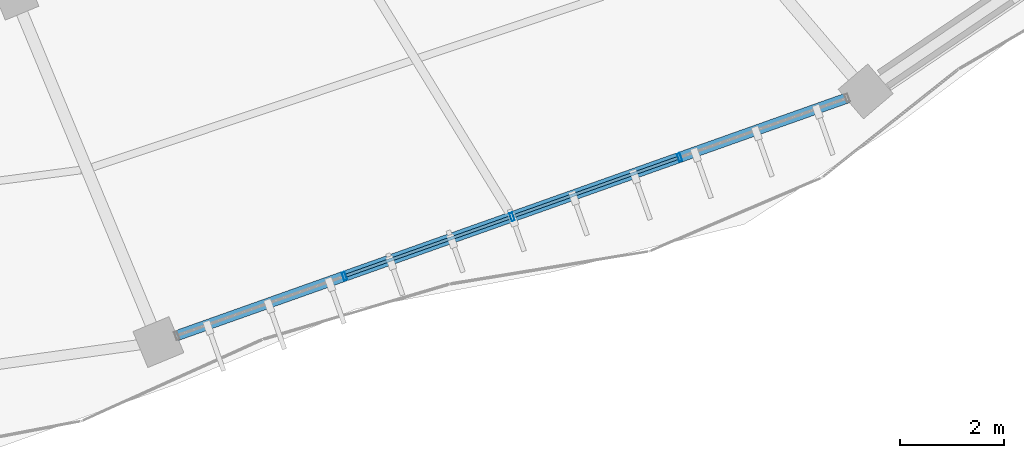
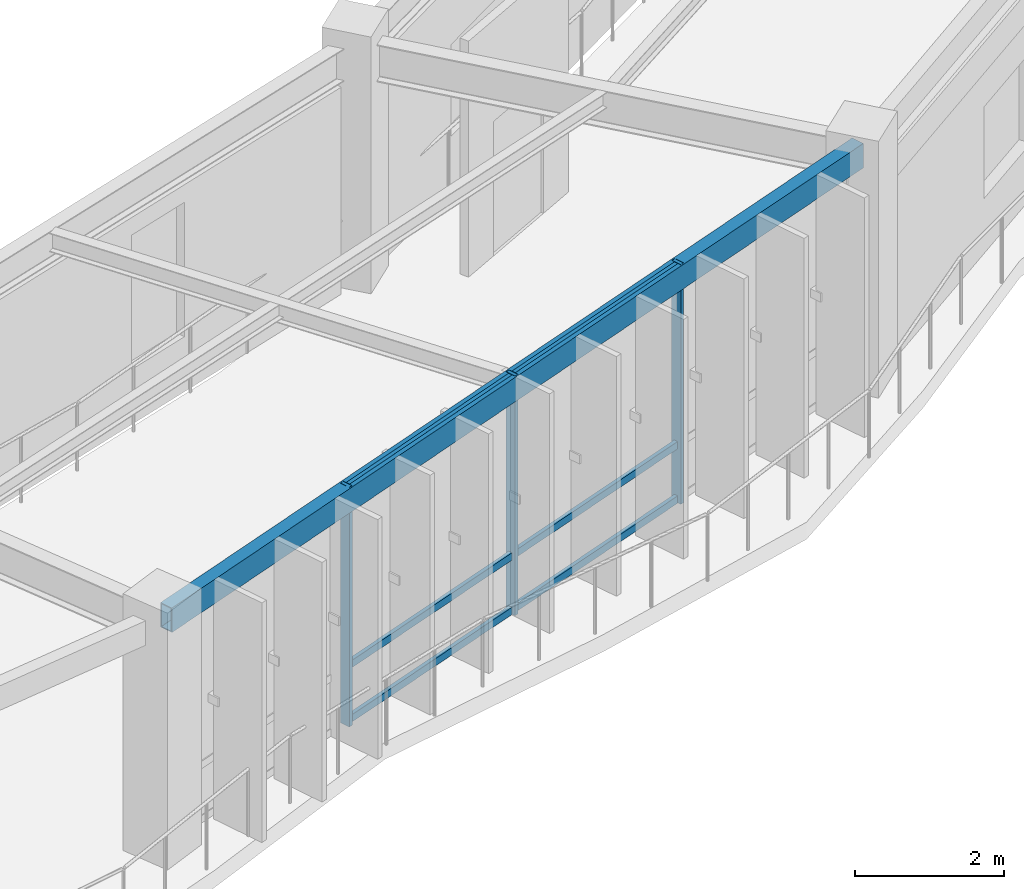
# One storey, part 64 of 152: 9 members, 1 beam, 1 element without a shape of its own.
"""IFC4 building model written with IfcOpenShell, lengths in metres."""

from ifc_helpers import new_model, si_unit, direction, frame, origin, origin_2d, place, context, subcontext, project, spatial, hollow_rectangle, extrude, material, material_profile, profile_set, type_object, element, aggregate, save


model = new_model("IFC4")

# Units and contexts
model_context = context("Model", 3, precision=1e-05, world=origin(), true_north=direction((0.0, 1.0)))
body_context = subcontext(model_context, "Body", "Model", "MODEL_VIEW")
ifc_project = project(units=[si_unit("LENGTHUNIT", "METRE"), si_unit("AREAUNIT", "SQUARE_METRE"), si_unit("VOLUMEUNIT", "CUBIC_METRE"), si_unit("PLANEANGLEUNIT", "RADIAN"), si_unit("MASSUNIT", "GRAM", prefix="KILO"), si_unit("THERMODYNAMICTEMPERATUREUNIT", "KELVIN"), si_unit("POWERUNIT", "WATT")], contexts=[model_context])

# Site, building, storey
site_placement = place(None, origin())
site = spatial("IfcSite", under=ifc_project, at=site_placement, CompositionType="ELEMENT")
building_placement = place(site_placement, origin())
building = spatial("IfcBuilding", under=site, at=building_placement, Name="Darbajah Civic Hall", CompositionType="ELEMENT")
storey_placement = place(building_placement, frame((0.0, 0.0, 5.39990234375)))
storey = spatial("IfcBuildingStorey", under=building, at=storey_placement, Name="L01", CompositionType="ELEMENT", Elevation=5.39990234375)

# Curtain wall, members
ifc_material_1 = material(Name="Anodised Bronze Aluminium and Low-E Glazing", Category="aluminium")
curtain_wall_type = type_object("IfcCurtainWallType", Name="Unitised Curtain Wall CW-33 13700x3900", PredefinedType="USERDEFINED", material=ifc_material_1)
curtain_wall_placement = place(storey_placement, origin())
curtain_wall = element("IfcCurtainWall", 1, at=curtain_wall_placement, inside=storey, type_object=curtain_wall_type, Name="L01 unitised curtain wall CW-V1O-L01-16", ObjectType="UNITISED CURTAIN WALL", PredefinedType="USERDEFINED")
ifc_material_2 = material(Name="Anodised Bronze Aluminium", Category="aluminium")
ifc_material_profile_1 = material_profile(ifc_material_2, hollow_rectangle(XDim=0.06005859375, YDim=0.159912109375, WallThickness=0.00341796875, at=origin_2d()), Name="ALU MULLION 60x160")
ifc_profile_set_1 = profile_set([ifc_material_profile_1], Name="Anodised Bronze Aluminium")
member_type_1 = type_object("IfcMemberType", Name="ALU MULLION 60x160", PredefinedType="MULLION", material=ifc_profile_set_1)
member_1_placement = place(storey_placement, frame((112.19580078125, 63.814208984375, 0.0), z_axis=(0.0, 0.0, 1.0), x_axis=(0.94252491309, 0.334135882844, 0.0)))
member_1 = element("IfcMember", 2, at=member_1_placement, type_object=member_type_1, Name="CW-V1O-L01-16 mullion 2", PredefinedType="MULLION", context=body_context, shape_type="SweptSolid", body=[
    extrude(hollow_rectangle(XDim=0.06005859375, YDim=0.159912109375, WallThickness=0.00341796875, at=origin_2d()), origin(), (0.0, 0.0, 1.0), 3.920166015625),
])
member_2_placement = place(storey_placement, frame((115.41943359375, 64.956787109375, 0.0), z_axis=(0.0, 0.0, 1.0), x_axis=(0.94252491309, 0.334135882844, 0.0)))
member_2 = element("IfcMember", 3, at=member_2_placement, type_object=member_type_1, Name="CW-V1O-L01-16 mullion 3", PredefinedType="MULLION", context=body_context, shape_type="SweptSolid", body=[
    extrude(hollow_rectangle(XDim=0.06005859375, YDim=0.159912109375, WallThickness=0.00341796875, at=origin_2d()), origin(), (0.0, 0.0, 1.0), 3.920166015625),
])
member_3_placement = place(storey_placement, frame((118.64306640625, 66.099365234375, 0.0), z_axis=(0.0, 0.0, 1.0), x_axis=(0.94252491309, 0.334135882844, 0.0)))
member_3 = element("IfcMember", 4, at=member_3_placement, type_object=member_type_1, Name="CW-V1O-L01-16 mullion 4", PredefinedType="MULLION", context=body_context, shape_type="SweptSolid", body=[
    extrude(hollow_rectangle(XDim=0.06005859375, YDim=0.159912109375, WallThickness=0.00341796875, at=origin_2d()), origin(), (0.0, 0.0, 1.0), 3.920166015625),
])
ifc_material_profile_2 = material_profile(ifc_material_2, hollow_rectangle(XDim=0.06005859375, YDim=0.1201171875, WallThickness=0.003173828125, at=origin_2d()), Name="ALU TRANSOM 60x120")
ifc_profile_set_2 = profile_set([ifc_material_profile_2], Name="Anodised Bronze Aluminium")
member_type_2 = type_object("IfcMemberType", Name="ALU TRANSOM 60x120", PredefinedType="USERDEFINED", material=ifc_profile_set_2)
member_4_placement = place(storey_placement, frame((112.228759765625, 63.825927734375, 0.06005859375), z_axis=(0.942553625563, 0.334054880128, 0.0), x_axis=(-0.334054880128, 0.942553625563, 0.0)))
member_4 = element("IfcMember", 5, at=member_4_placement, type_object=member_type_2, Name="CW-V1O-L01-16 transom 2.1", ObjectType="TRANSOM", PredefinedType="USERDEFINED", context=body_context, shape_type="SweptSolid", body=[
    extrude(hollow_rectangle(XDim=0.06005859375, YDim=0.1201171875, WallThickness=0.003173828125, at=origin_2d()), origin(), (0.0, 0.0, 1.0), 3.35009765625),
])
member_5_placement = place(storey_placement, frame((112.228759765625, 63.825927734375, 0.9501953125), z_axis=(0.942553625563, 0.334054880128, 0.0), x_axis=(-0.334054880128, 0.942553625563, 0.0)))
member_5 = element("IfcMember", 6, at=member_5_placement, type_object=member_type_2, Name="CW-V1O-L01-16 transom 2.2", ObjectType="TRANSOM", PredefinedType="USERDEFINED", context=body_context, shape_type="SweptSolid", body=[
    extrude(hollow_rectangle(XDim=0.06005859375, YDim=0.1201171875, WallThickness=0.003173828125, at=origin_2d()), origin(), (0.0, 0.0, 1.0), 3.35009765625),
])
member_6_placement = place(storey_placement, frame((112.228759765625, 63.825927734375, 3.860107421875), z_axis=(0.942553625563, 0.334054880128, 0.0), x_axis=(-0.334054880128, 0.942553625563, 0.0)))
member_6 = element("IfcMember", 7, at=member_6_placement, type_object=member_type_2, Name="CW-V1O-L01-16 transom 2.3", ObjectType="TRANSOM", PredefinedType="USERDEFINED", context=body_context, shape_type="SweptSolid", body=[
    extrude(hollow_rectangle(XDim=0.06005859375, YDim=0.1201171875, WallThickness=0.003173828125, at=origin_2d()), origin(), (0.0, 0.0, 1.0), 3.35009765625),
])
member_7_placement = place(storey_placement, frame((115.452392578125, 64.968505859375, 0.06005859375), z_axis=(0.942553625563, 0.334054880128, 0.0), x_axis=(-0.334054880128, 0.942553625563, 0.0)))
member_7 = element("IfcMember", 8, at=member_7_placement, type_object=member_type_2, Name="CW-V1O-L01-16 transom 3.1", ObjectType="TRANSOM", PredefinedType="USERDEFINED", context=body_context, shape_type="SweptSolid", body=[
    extrude(hollow_rectangle(XDim=0.06005859375, YDim=0.1201171875, WallThickness=0.003173828125, at=origin_2d()), origin(), (0.0, 0.0, 1.0), 3.35009765625),
])
member_8_placement = place(storey_placement, frame((115.452392578125, 64.968505859375, 0.9501953125), z_axis=(0.942553625563, 0.334054880128, 0.0), x_axis=(-0.334054880128, 0.942553625563, 0.0)))
member_8 = element("IfcMember", 9, at=member_8_placement, type_object=member_type_2, Name="CW-V1O-L01-16 transom 3.2", ObjectType="TRANSOM", PredefinedType="USERDEFINED", context=body_context, shape_type="SweptSolid", body=[
    extrude(hollow_rectangle(XDim=0.06005859375, YDim=0.1201171875, WallThickness=0.003173828125, at=origin_2d()), origin(), (0.0, 0.0, 1.0), 3.35009765625),
])
member_9_placement = place(storey_placement, frame((115.452392578125, 64.968505859375, 3.860107421875), z_axis=(0.942553625563, 0.334054880128, 0.0), x_axis=(-0.334054880128, 0.942553625563, 0.0)))
member_9 = element("IfcMember", 10, at=member_9_placement, type_object=member_type_2, Name="CW-V1O-L01-16 transom 3.3", ObjectType="TRANSOM", PredefinedType="USERDEFINED", context=body_context, shape_type="SweptSolid", body=[
    extrude(hollow_rectangle(XDim=0.06005859375, YDim=0.1201171875, WallThickness=0.003173828125, at=origin_2d()), origin(), (0.0, 0.0, 1.0), 3.35009765625),
])
aggregate(curtain_wall, [member_1, member_2, member_3, member_4, member_5, member_6, member_7, member_8, member_9])

# Beam
ifc_material_3 = material(Name="Steel S355JR", Category="steel")
ifc_material_profile_3 = material_profile(ifc_material_3, hollow_rectangle(XDim=0.199951171875, YDim=0.39990234375, WallThickness=0.013916015625, at=origin_2d()), Name="RHS 400x200x14")
ifc_profile_set_3 = profile_set([ifc_material_profile_3], Name="Steel S355JR")
beam_type = type_object("IfcBeamType", Name="RHS 400x200x14", PredefinedType="SPANDREL", material=ifc_profile_set_3)
beam_placement = place(storey_placement, frame((108.6923828125, 62.572265625, 3.72021484375), z_axis=(0.942537934189, 0.334099150875, 0.0), x_axis=(-0.334099150875, 0.942537934189, 0.0)))
element("IfcBeam", 11, at=beam_placement, inside=storey, type_object=beam_type, Name="L01 beam SP-RHS400", PredefinedType="SPANDREL", context=body_context, shape_type="SweptSolid", body=[
    extrude(hollow_rectangle(XDim=0.199951171875, YDim=0.39990234375, WallThickness=0.013916015625, at=origin_2d()), origin(), (0.0, 0.0, 1.0), 14.2744140625),
])

save(model, "model.ifc")
